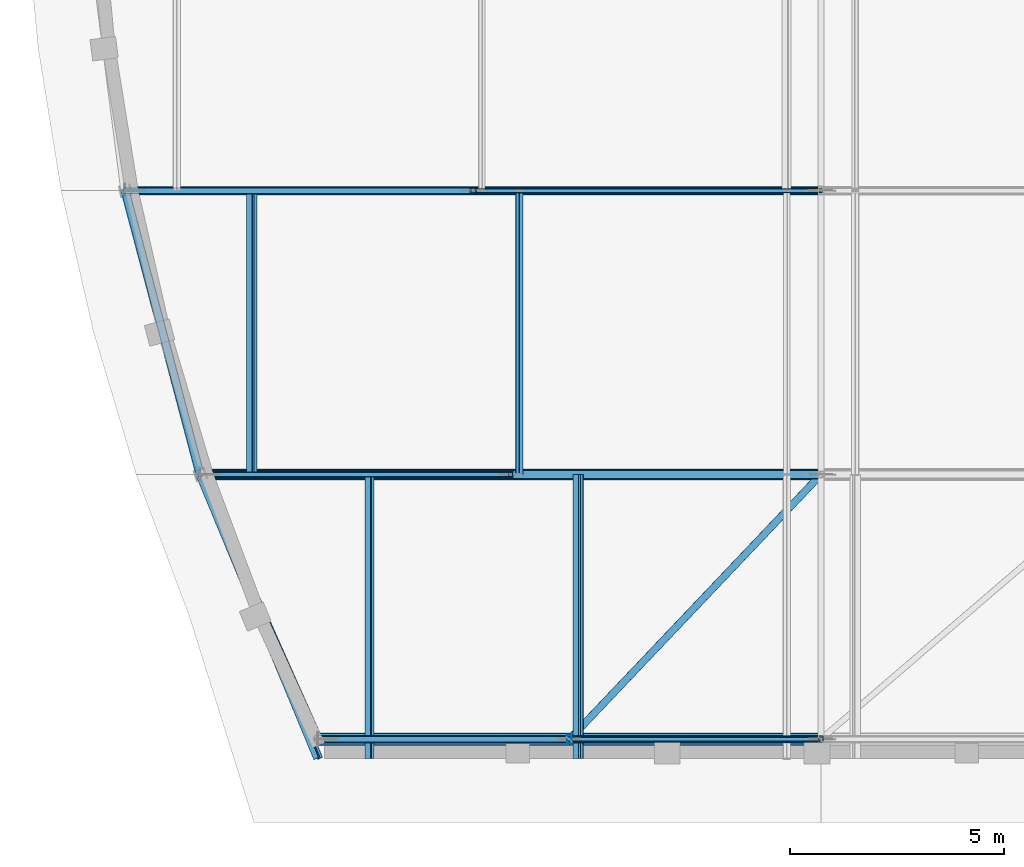
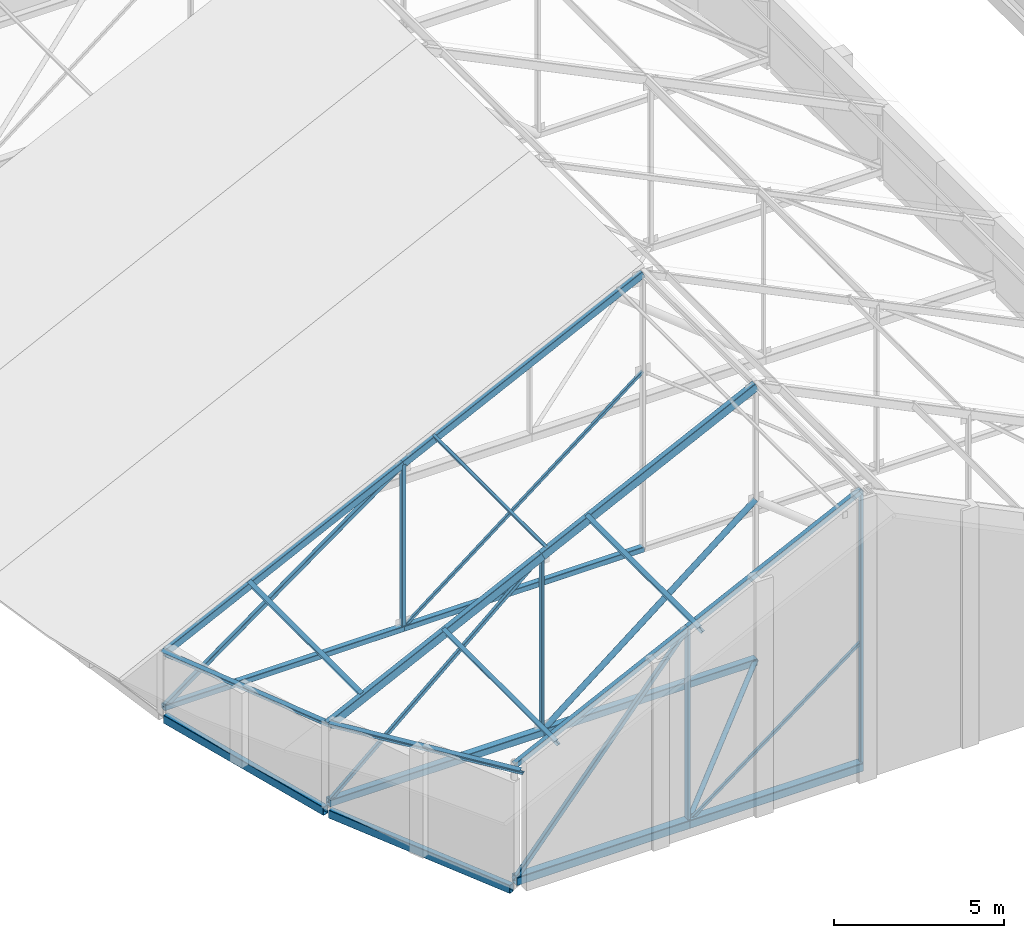
# One storey, part 14 of 78: 29 members, 2 beams.
"""IFC4 building model written with IfcOpenShell, lengths in metres."""

from ifc_helpers import new_model, si_unit, direction, frame, origin, origin_2d, place, context, subcontext, project, spatial, hollow_rectangle, hollow_circle, i_section, extrude, material, material_profile, profile_set, type_object, element, save


model = new_model("IFC4")

# Units and contexts
model_context = context("Model", 3, precision=1e-05, world=origin(), true_north=direction((0.0, 1.0)))
body_context = subcontext(model_context, "Body", "Model", "MODEL_VIEW")
ifc_project = project(units=[si_unit("LENGTHUNIT", "METRE"), si_unit("AREAUNIT", "SQUARE_METRE"), si_unit("VOLUMEUNIT", "CUBIC_METRE"), si_unit("PLANEANGLEUNIT", "RADIAN"), si_unit("MASSUNIT", "GRAM", prefix="KILO")], contexts=[model_context])

# Site, building, storey
site_placement = place(None, origin())
site = spatial("IfcSite", under=ifc_project, at=site_placement, CompositionType="ELEMENT")
building_placement = place(site_placement, origin())
building = spatial("IfcBuilding", under=site, at=building_placement, Name="Kelanivale Promenade Academy", CompositionType="ELEMENT")
storey_placement = place(building_placement, frame((0.0, 0.0, 16.199951171875)))
storey = spatial("IfcBuildingStorey", under=building, at=storey_placement, Name="L04", CompositionType="ELEMENT", Elevation=16.199951171875)

# Members
ifc_material = material(Name="Steel S355", Category="steel")
ifc_material_profile_1 = material_profile(ifc_material, i_section(OverallWidth=0.13330078125, OverallDepth=0.203125, WebThickness=0.005615234375, FlangeThickness=0.0078125, FilletRadius=0.007568359375, at=origin_2d()), Name="UB 203x133x25")
ifc_profile_set_1 = profile_set([ifc_material_profile_1], Name="Steel S355")
member_type_1 = type_object("IfcMemberType", Name="PR-01 UB 203x133x25", PredefinedType="PURLIN", material=ifc_profile_set_1)
member_1_placement = place(storey_placement, frame((7.862060546875, 33.0, 4.35400390625), z_axis=(-0.376761392739, 0.907865223257, -0.183933654727), x_axis=(-0.798995969758, -0.418973464595, -0.431354467087)))
element("IfcMember", 1, at=member_1_placement, inside=storey, type_object=member_type_1, Name="Sports Hall Crescent Pavilion roof tie purlin PR-01", PredefinedType="PURLIN", context=body_context, shape_type="SweptSolid", body=[
    extrude(i_section(OverallWidth=0.13330078125, OverallDepth=0.203125, WebThickness=0.005615234375, FlangeThickness=0.0078125, FilletRadius=0.007568359375, at=origin_2d()), origin(), (0.0, 0.0, 1.0), 7.3017578125),
])
member_2_placement = place(storey_placement, frame((9.06201171875, 33.0, 4.9580078125), z_axis=(0.0, 1.0, 0.0), x_axis=(-0.898564392509, 0.0, -0.438841694139)))
element("IfcMember", 2, at=member_2_placement, inside=storey, type_object=member_type_1, Name="Sports Hall Crescent Pavilion roof purlin PR-01", PredefinedType="PURLIN", context=body_context, shape_type="SweptSolid", body=[
    extrude(i_section(OverallWidth=0.13330078125, OverallDepth=0.203125, WebThickness=0.005615234375, FlangeThickness=0.0078125, FilletRadius=0.007568359375, at=origin_2d()), origin(), (0.0, 0.0, 1.0), 6.62890625),
])
member_3_placement = place(storey_placement, frame((5.111083984375, 39.62890625, 3.010986328125), z_axis=(-0.253607475589, 0.959340860353, -0.123888506258), x_axis=(-0.854827011615, -0.282213689329, -0.435460921057)))
element("IfcMember", 3, at=member_3_placement, inside=storey, type_object=member_type_1, Name="Sports Hall Crescent Pavilion roof tie purlin PR-01", PredefinedType="PURLIN", context=body_context, shape_type="SweptSolid", body=[
    extrude(i_section(OverallWidth=0.13330078125, OverallDepth=0.203125, WebThickness=0.005615234375, FlangeThickness=0.0078125, FilletRadius=0.007568359375, at=origin_2d()), origin(), (0.0, 0.0, 1.0), 6.9091796875),
])
ifc_material_profile_2 = material_profile(ifc_material, i_section(OverallWidth=0.14599609375, OverallDepth=0.25146484375, WebThickness=0.006103515625, FlangeThickness=0.008544921875, FilletRadius=0.007568359375, at=origin_2d()), Name="UB 254x146x31")
ifc_profile_set_2 = profile_set([ifc_material_profile_2], Name="Steel S355")
member_type_2 = type_object("IfcMemberType", Name="PR-02 UB 254x146x31", PredefinedType="PURLIN", material=ifc_profile_set_2)
member_4_placement = place(storey_placement, frame((13.930908203125, 33.0, 7.30810546875), z_axis=(0.0, 1.0, 0.0), x_axis=(-0.898564392509, 0.0, -0.438841694139)))
element("IfcMember", 4, at=member_4_placement, inside=storey, type_object=member_type_2, Name="Sports Hall Crescent Pavilion roof purlin PR-02", PredefinedType="PURLIN", context=body_context, shape_type="SweptSolid", body=[
    extrude(i_section(OverallWidth=0.14599609375, OverallDepth=0.25146484375, WebThickness=0.006103515625, FlangeThickness=0.008544921875, FilletRadius=0.007568359375, at=origin_2d()), origin(), (0.0, 0.0, 1.0), 6.62890625),
])
member_5_placement = place(storey_placement, frame((6.31103515625, 39.62890625, 3.587158203125), z_axis=(0.0, 1.0, 0.0), x_axis=(-0.898564392509, 0.0, -0.438841694139)))
element("IfcMember", 5, at=member_5_placement, inside=storey, type_object=member_type_2, Name="Sports Hall Crescent Pavilion roof purlin PR-02", PredefinedType="PURLIN", context=body_context, shape_type="SweptSolid", body=[
    extrude(i_section(OverallWidth=0.14599609375, OverallDepth=0.25146484375, WebThickness=0.006103515625, FlangeThickness=0.008544921875, FilletRadius=0.007568359375, at=origin_2d()), origin(), (0.0, 0.0, 1.0), 6.628173828125),
])
ifc_material_profile_3 = material_profile(ifc_material, hollow_rectangle(XDim=0.10009765625, YDim=0.199951171875, WallThickness=0.008056640625, InnerFilletRadius=0.008056640625, OuterFilletRadius=0.01611328125, at=origin_2d()), Name="RHS 200x100x8.0")
ifc_profile_set_3 = profile_set([ifc_material_profile_3], Name="Steel S355")
member_type_3 = type_object("IfcMemberType", Name="PR-03 RHS 200x100x8.0", PredefinedType="PURLIN", material=ifc_profile_set_3)
member_6_placement = place(storey_placement, frame((12.555908203125, 39.62890625, 6.666015625), z_axis=(0.0, 1.0, 0.0), x_axis=(-0.898564392509, 0.0, -0.438841694139)))
element("IfcMember", 6, at=member_6_placement, inside=storey, type_object=member_type_3, Name="Sports Hall Crescent Pavilion roof purlin PR-03", PredefinedType="PURLIN", context=body_context, shape_type="SweptSolid", body=[
    extrude(hollow_rectangle(XDim=0.10009765625, YDim=0.199951171875, WallThickness=0.008056640625, InnerFilletRadius=0.008056640625, OuterFilletRadius=0.01611328125, at=origin_2d()), origin(), (0.0, 0.0, 1.0), 6.628173828125),
])

# Beams
ifc_material_profile_4 = material_profile(ifc_material, hollow_rectangle(XDim=0.199951171875, YDim=0.300048828125, WallThickness=0.012451171875, InnerFilletRadius=0.012451171875, OuterFilletRadius=0.02490234375, at=origin_2d()), Name="RHS 300x200x12.5")
ifc_profile_set_4 = profile_set([ifc_material_profile_4], Name="Steel S355")
beam_type = type_object("IfcBeamType", Name="SB-14 RHS 300x200x12.5", PredefinedType="SPANDREL", material=ifc_profile_set_4)
beam_1_placement = place(storey_placement, frame((7.821044921875, 33.541015625, -0.14990234375), z_axis=(-0.406593934051, 0.913608982439, 0.0), x_axis=(-0.913608982439, -0.406593934051, 0.0)))
element("IfcBeam", 7, at=beam_1_placement, inside=storey, type_object=beam_type, Name="Sports Hall Crescent Pavilion curved ring beam SB-14", PredefinedType="SPANDREL", context=body_context, shape_type="SweptSolid", body=[
    extrude(hollow_rectangle(XDim=0.199951171875, YDim=0.300048828125, WallThickness=0.012451171875, InnerFilletRadius=0.012451171875, OuterFilletRadius=0.02490234375, at=origin_2d()), origin(), (0.0, 0.0, 1.0), 6.564208984375),
])
beam_2_placement = place(storey_placement, frame((5.0849609375, 39.72607421875, -0.14990234375), z_axis=(-0.255453887547, 0.966821240632, 0.0), x_axis=(-0.966821240632, -0.255453887547, 0.0)))
element("IfcBeam", 8, at=beam_2_placement, inside=storey, type_object=beam_type, Name="Sports Hall Crescent Pavilion curved ring beam SB-14", PredefinedType="SPANDREL", context=body_context, shape_type="SweptSolid", body=[
    extrude(hollow_rectangle(XDim=0.199951171875, YDim=0.300048828125, WallThickness=0.012451171875, InnerFilletRadius=0.012451171875, OuterFilletRadius=0.02490234375, at=origin_2d()), origin(), (0.0, 0.0, 1.0), 6.654541015625),
])

# Members
ifc_material_profile_5 = material_profile(ifc_material, hollow_rectangle(XDim=0.300048828125, YDim=0.300048828125, WallThickness=0.01611328125, InnerFilletRadius=0.01611328125, OuterFilletRadius=0.031982421875, at=origin_2d()), Name="SHS 300x300x16.0")
ifc_profile_set_5 = profile_set([ifc_material_profile_5], Name="Steel S355")
member_type_4 = type_object("IfcMemberType", Name="TC-01 SHS 300x300x16.0", PredefinedType="CHORD", material=ifc_profile_set_5)
member_7_placement = place(storey_placement, frame((7.862060546875, 33.449951171875, 0.199951171875), z_axis=(1.0, 0.0, 0.0), x_axis=(0.0, 1.0, 0.0)))
element("IfcMember", 9, at=member_7_placement, inside=storey, type_object=member_type_4, Name="ROOF TRUSS SH-TR1 bottom chord 1", PredefinedType="CHORD", context=body_context, shape_type="SweptSolid", body=[
    extrude(hollow_rectangle(XDim=0.300048828125, YDim=0.300048828125, WallThickness=0.01611328125, InnerFilletRadius=0.01611328125, OuterFilletRadius=0.031982421875, at=origin_2d()), origin(), (0.0, 0.0, 1.0), 5.868896484375),
])
member_8_placement = place(storey_placement, frame((13.73095703125, 33.449951171875, 0.199951171875), z_axis=(1.0, 0.0, 0.0), x_axis=(0.0, 1.0, 0.0)))
element("IfcMember", 10, at=member_8_placement, inside=storey, type_object=member_type_4, Name="ROOF TRUSS SH-TR1 bottom chord 2", PredefinedType="CHORD", context=body_context, shape_type="SweptSolid", body=[
    extrude(hollow_rectangle(XDim=0.300048828125, YDim=0.300048828125, WallThickness=0.01611328125, InnerFilletRadius=0.01611328125, OuterFilletRadius=0.031982421875, at=origin_2d()), origin(), (0.0, 0.0, 1.0), 5.869140625),
])
ifc_material_profile_6 = material_profile(ifc_material, hollow_rectangle(XDim=0.25, YDim=0.25, WallThickness=0.012451171875, InnerFilletRadius=0.012451171875, OuterFilletRadius=0.02490234375, at=origin_2d()), Name="SHS 250x250x12.5")
ifc_profile_set_6 = profile_set([ifc_material_profile_6], Name="Steel S355")
member_type_5 = type_object("IfcMemberType", Name="TC-02 SHS 250x250x12.5", PredefinedType="CHORD", material=ifc_profile_set_6)
member_9_placement = place(storey_placement, frame((5.111083984375, 39.62890625, 0.199951171875), z_axis=(1.0, 0.0, 0.0), x_axis=(0.0, 1.0, 0.0)))
element("IfcMember", 11, at=member_9_placement, inside=storey, type_object=member_type_5, Name="ROOF TRUSS SH-TR2 bottom chord 1", PredefinedType="CHORD", context=body_context, shape_type="SweptSolid", body=[
    extrude(hollow_rectangle(XDim=0.25, YDim=0.25, WallThickness=0.012451171875, InnerFilletRadius=0.012451171875, OuterFilletRadius=0.02490234375, at=origin_2d()), origin(), (0.0, 0.0, 1.0), 7.244873046875),
])
member_10_placement = place(storey_placement, frame((12.35595703125, 39.62890625, 0.199951171875), z_axis=(1.0, 0.0, 0.0), x_axis=(0.0, 1.0, 0.0)))
element("IfcMember", 12, at=member_10_placement, inside=storey, type_object=member_type_5, Name="ROOF TRUSS SH-TR2 bottom chord 2", PredefinedType="CHORD", context=body_context, shape_type="SweptSolid", body=[
    extrude(hollow_rectangle(XDim=0.25, YDim=0.25, WallThickness=0.012451171875, InnerFilletRadius=0.012451171875, OuterFilletRadius=0.02490234375, at=origin_2d()), origin(), (0.0, 0.0, 1.0), 7.244140625),
])
ifc_material_profile_7 = material_profile(ifc_material, hollow_rectangle(XDim=0.199951171875, YDim=0.199951171875, WallThickness=0.012451171875, InnerFilletRadius=0.012451171875, OuterFilletRadius=0.02490234375, at=origin_2d()), Name="SHS 200x200x12.5")
ifc_profile_set_7 = profile_set([ifc_material_profile_7], Name="Steel S355")
member_type_6 = type_object("IfcMemberType", Name="TC-03 SHS 200x200x12.5", PredefinedType="CHORD", material=ifc_profile_set_7)
member_11_placement = place(storey_placement, frame((3.35888671875, 46.257080078125, 0.199951171875), z_axis=(1.0, 0.0, 0.0), x_axis=(0.0, 1.0, 0.0)))
element("IfcMember", 13, at=member_11_placement, inside=storey, type_object=member_type_6, Name="ROOF TRUSS SH-TR3 bottom chord 1", PredefinedType="CHORD", context=body_context, shape_type="SweptSolid", body=[
    extrude(hollow_rectangle(XDim=0.199951171875, YDim=0.199951171875, WallThickness=0.012451171875, InnerFilletRadius=0.012451171875, OuterFilletRadius=0.02490234375, at=origin_2d()), origin(), (0.0, 0.0, 1.0), 8.12109375),
])
member_12_placement = place(storey_placement, frame((11.47998046875, 46.257080078125, 0.199951171875), z_axis=(1.0, 0.0, 0.0), x_axis=(0.0, 1.0, 0.0)))
element("IfcMember", 14, at=member_12_placement, inside=storey, type_object=member_type_6, Name="ROOF TRUSS SH-TR3 bottom chord 2", PredefinedType="CHORD", context=body_context, shape_type="SweptSolid", body=[
    extrude(hollow_rectangle(XDim=0.199951171875, YDim=0.199951171875, WallThickness=0.012451171875, InnerFilletRadius=0.012451171875, OuterFilletRadius=0.02490234375, at=origin_2d()), origin(), (0.0, 0.0, 1.0), 8.1201171875),
])
ifc_material_profile_8 = material_profile(ifc_material, hollow_rectangle(XDim=0.179931640625, YDim=0.179931640625, WallThickness=0.010009765625, InnerFilletRadius=0.010009765625, OuterFilletRadius=0.02001953125, at=origin_2d()), Name="SHS 180x180x10.0")
ifc_profile_set_8 = profile_set([ifc_material_profile_8], Name="Steel S355")
member_type_7 = type_object("IfcMemberType", Name="TC-04 SHS 180x180x10.0", PredefinedType="CHORD", material=ifc_profile_set_8)
member_13_placement = place(storey_placement, frame((7.862060546875, 33.449951171875, 4.30908203125), z_axis=(0.898522951892, 0.0, 0.438926537047), x_axis=(0.0, 1.0, 0.0)))
element("IfcMember", 15, at=member_13_placement, inside=storey, type_object=member_type_7, Name="ROOF TRUSS SH-TR1 top chord 1", PredefinedType="CHORD", context=body_context, shape_type="SweptSolid", body=[
    extrude(hollow_rectangle(XDim=0.179931640625, YDim=0.179931640625, WallThickness=0.010009765625, InnerFilletRadius=0.010009765625, OuterFilletRadius=0.02001953125, at=origin_2d()), origin(), (0.0, 0.0, 1.0), 6.53173828125),
])
member_14_placement = place(storey_placement, frame((13.73095703125, 33.449951171875, 7.176025390625), z_axis=(0.898589109791, 0.0, 0.43879107986), x_axis=(0.0, 1.0, 0.0)))
element("IfcMember", 16, at=member_14_placement, inside=storey, type_object=member_type_7, Name="ROOF TRUSS SH-TR1 top chord 2", PredefinedType="CHORD", context=body_context, shape_type="SweptSolid", body=[
    extrude(hollow_rectangle(XDim=0.179931640625, YDim=0.179931640625, WallThickness=0.010009765625, InnerFilletRadius=0.010009765625, OuterFilletRadius=0.02001953125, at=origin_2d()), origin(), (0.0, 0.0, 1.0), 6.531494140625),
])
ifc_material_profile_9 = material_profile(ifc_material, hollow_rectangle(XDim=0.199951171875, YDim=0.300048828125, WallThickness=0.012451171875, InnerFilletRadius=0.012451171875, OuterFilletRadius=0.02490234375, at=origin_2d()), Name="RHS 300x200x12.5")
ifc_profile_set_9 = profile_set([ifc_material_profile_9], Name="Steel S355")
member_type_8 = type_object("IfcMemberType", Name="TC-05 RHS 300x200x12.5", PredefinedType="CHORD", material=ifc_profile_set_9)
member_15_placement = place(storey_placement, frame((5.111083984375, 39.62890625, 2.966064453125), z_axis=(0.898572791863, 0.0, 0.438824495356), x_axis=(0.0, 1.0, 0.0)))
element("IfcMember", 17, at=member_15_placement, inside=storey, type_object=member_type_8, Name="ROOF TRUSS SH-TR2 top chord 1", PredefinedType="CHORD", context=body_context, shape_type="SweptSolid", body=[
    extrude(hollow_rectangle(XDim=0.199951171875, YDim=0.300048828125, WallThickness=0.012451171875, InnerFilletRadius=0.012451171875, OuterFilletRadius=0.02490234375, at=origin_2d()), origin(), (0.0, 0.0, 1.0), 8.062744140625),
])
member_16_placement = place(storey_placement, frame((12.35595703125, 39.62890625, 6.504150390625), z_axis=(0.898567238279, 0.0, 0.438835867144), x_axis=(0.0, 1.0, 0.0)))
element("IfcMember", 18, at=member_16_placement, inside=storey, type_object=member_type_8, Name="ROOF TRUSS SH-TR2 top chord 2", PredefinedType="CHORD", context=body_context, shape_type="SweptSolid", body=[
    extrude(hollow_rectangle(XDim=0.199951171875, YDim=0.300048828125, WallThickness=0.012451171875, InnerFilletRadius=0.012451171875, OuterFilletRadius=0.02490234375, at=origin_2d()), origin(), (0.0, 0.0, 1.0), 8.061767578125),
])
ifc_material_profile_10 = material_profile(ifc_material, hollow_rectangle(XDim=0.14990234375, YDim=0.25, WallThickness=0.010009765625, InnerFilletRadius=0.010009765625, OuterFilletRadius=0.02001953125, at=origin_2d()), Name="RHS 250x150x10.0")
ifc_profile_set_10 = profile_set([ifc_material_profile_10], Name="Steel S355")
member_type_9 = type_object("IfcMemberType", Name="TC-06 RHS 250x150x10.0", PredefinedType="CHORD", material=ifc_profile_set_10)
member_17_placement = place(storey_placement, frame((3.35888671875, 46.257080078125, 2.110107421875), z_axis=(0.898580397194, 0.0, 0.438808921718), x_axis=(0.0, 1.0, 0.0)))
element("IfcMember", 19, at=member_17_placement, inside=storey, type_object=member_type_9, Name="ROOF TRUSS SH-TR3 top chord 1", PredefinedType="CHORD", context=body_context, shape_type="SweptSolid", body=[
    extrude(hollow_rectangle(XDim=0.14990234375, YDim=0.25, WallThickness=0.010009765625, InnerFilletRadius=0.010009765625, OuterFilletRadius=0.02001953125, at=origin_2d()), origin(), (0.0, 0.0, 1.0), 9.03759765625),
])
member_18_placement = place(storey_placement, frame((11.47998046875, 46.257080078125, 6.075927734375), z_axis=(0.898548934374, 0.0, 0.438873344525), x_axis=(0.0, 1.0, 0.0)))
element("IfcMember", 20, at=member_18_placement, inside=storey, type_object=member_type_9, Name="ROOF TRUSS SH-TR3 top chord 2", PredefinedType="CHORD", context=body_context, shape_type="SweptSolid", body=[
    extrude(hollow_rectangle(XDim=0.14990234375, YDim=0.25, WallThickness=0.010009765625, InnerFilletRadius=0.010009765625, OuterFilletRadius=0.02001953125, at=origin_2d()), origin(), (0.0, 0.0, 1.0), 9.036865234375),
])
ifc_material_profile_11 = material_profile(ifc_material, hollow_rectangle(XDim=0.14990234375, YDim=0.14990234375, WallThickness=0.010009765625, InnerFilletRadius=0.010009765625, OuterFilletRadius=0.02001953125, at=origin_2d()), Name="SHS 150x150x10.0")
ifc_profile_set_11 = profile_set([ifc_material_profile_11], Name="Steel S355")
member_type_10 = type_object("IfcMemberType", Name="TD-01 SHS 150x150x10.0", PredefinedType="BRACE", material=ifc_profile_set_11)
member_19_placement = place(storey_placement, frame((7.862060546875, 33.449951171875, 0.199951171875), z_axis=(0.643770341143, 0.0, 0.765218758177), x_axis=(0.0, 1.0, 0.0)))
element("IfcMember", 21, at=member_19_placement, inside=storey, type_object=member_type_10, Name="ROOF TRUSS SH-TR1 web diagonal 1", PredefinedType="BRACE", context=body_context, shape_type="SweptSolid", body=[
    extrude(hollow_rectangle(XDim=0.14990234375, YDim=0.14990234375, WallThickness=0.010009765625, InnerFilletRadius=0.010009765625, OuterFilletRadius=0.02001953125, at=origin_2d()), origin(), (0.0, 0.0, 1.0), 9.116455078125),
])
member_20_placement = place(storey_placement, frame((3.35888671875, 46.257080078125, 0.199951171875), z_axis=(0.81017026732, 0.0, 0.586194624635), x_axis=(0.0, 1.0, 0.0)))
element("IfcMember", 22, at=member_20_placement, inside=storey, type_object=member_type_10, Name="ROOF TRUSS SH-TR3 web diagonal 1", PredefinedType="BRACE", context=body_context, shape_type="SweptSolid", body=[
    extrude(hollow_rectangle(XDim=0.14990234375, YDim=0.14990234375, WallThickness=0.010009765625, InnerFilletRadius=0.010009765625, OuterFilletRadius=0.02001953125, at=origin_2d()), origin(), (0.0, 0.0, 1.0), 10.02392578125),
])
ifc_material_profile_12 = material_profile(ifc_material, hollow_rectangle(XDim=0.1201171875, YDim=0.1201171875, WallThickness=0.008056640625, InnerFilletRadius=0.008056640625, OuterFilletRadius=0.01611328125, at=origin_2d()), Name="SHS 120x120x8.0")
ifc_profile_set_12 = profile_set([ifc_material_profile_12], Name="Steel S355")
member_type_11 = type_object("IfcMemberType", Name="TD-02 SHS 120x120x8.0", PredefinedType="BRACE", material=ifc_profile_set_12)
member_21_placement = place(storey_placement, frame((5.111083984375, 39.62890625, 0.199951171875), z_axis=(0.754383280134, 0.0, 0.656434205884), x_axis=(0.0, 1.0, 0.0)))
element("IfcMember", 23, at=member_21_placement, inside=storey, type_object=member_type_11, Name="ROOF TRUSS SH-TR2 web diagonal 1", PredefinedType="BRACE", context=body_context, shape_type="SweptSolid", body=[
    extrude(hollow_rectangle(XDim=0.1201171875, YDim=0.1201171875, WallThickness=0.008056640625, InnerFilletRadius=0.008056640625, OuterFilletRadius=0.01611328125, at=origin_2d()), origin(), (0.0, 0.0, 1.0), 9.603759765625),
])
ifc_material_profile_13 = material_profile(ifc_material, hollow_rectangle(XDim=0.10009765625, YDim=0.10009765625, WallThickness=0.00634765625, InnerFilletRadius=0.00634765625, OuterFilletRadius=0.0126953125, at=origin_2d()), Name="SHS 100x100x6.3")
ifc_profile_set_13 = profile_set([ifc_material_profile_13], Name="Steel S355")
member_type_12 = type_object("IfcMemberType", Name="TD-03 SHS 100x100x6.3", PredefinedType="BRACE", material=ifc_profile_set_13)
member_22_placement = place(storey_placement, frame((13.73095703125, 33.449951171875, 0.199951171875), z_axis=(0.798802200472, 0.0, 0.601593753725), x_axis=(0.0, 1.0, 0.0)))
element("IfcMember", 24, at=member_22_placement, inside=storey, type_object=member_type_12, Name="ROOF TRUSS SH-TR1 web diagonal 2", PredefinedType="BRACE", context=body_context, shape_type="SweptSolid", body=[
    extrude(hollow_rectangle(XDim=0.10009765625, YDim=0.10009765625, WallThickness=0.00634765625, InnerFilletRadius=0.00634765625, OuterFilletRadius=0.0126953125, at=origin_2d()), origin(), (0.0, 0.0, 1.0), 7.347412109375),
])
member_23_placement = place(storey_placement, frame((11.47998046875, 46.257080078125, 0.199951171875), z_axis=(0.788201107453, 0.0, 0.615417755846), x_axis=(0.0, 1.0, 0.0)))
element("IfcMember", 25, at=member_23_placement, inside=storey, type_object=member_type_12, Name="ROOF TRUSS SH-TR3 web diagonal 2", PredefinedType="BRACE", context=body_context, shape_type="SweptSolid", body=[
    extrude(hollow_rectangle(XDim=0.10009765625, YDim=0.10009765625, WallThickness=0.00634765625, InnerFilletRadius=0.00634765625, OuterFilletRadius=0.0126953125, at=origin_2d()), origin(), (0.0, 0.0, 1.0), 10.302001953125),
])
ifc_material_profile_14 = material_profile(ifc_material, hollow_circle(Radius=0.084228515625, WallThickness=0.008056640625, at=origin_2d()), Name="CHS 168.3x8.0")
ifc_profile_set_14 = profile_set([ifc_material_profile_14], Name="Steel S355")
member_type_13 = type_object("IfcMemberType", Name="TD-04 CHS 168.3x8.0", PredefinedType="BRACE", material=ifc_profile_set_14)
member_24_placement = place(storey_placement, frame((13.73095703125, 33.449951171875, 0.199951171875), z_axis=(0.688696004002, 0.725050214862, 0.0), x_axis=(-0.725050214862, 0.688696004002, 0.0)))
element("IfcMember", 26, at=member_24_placement, inside=storey, type_object=member_type_13, Name="Sports Hall Crescent Pavilion roof wind brace TD-04", PredefinedType="BRACE", context=body_context, shape_type="SweptSolid", body=[
    extrude(hollow_circle(Radius=0.084228515625, WallThickness=0.008056640625, at=origin_2d()), origin(), (0.0, 0.0, 1.0), 8.522216796875),
])
ifc_material_profile_15 = material_profile(ifc_material, hollow_circle(Radius=0.096923828125, WallThickness=0.010009765625, at=origin_2d()), Name="CHS 193.7x10.0")
ifc_profile_set_15 = profile_set([ifc_material_profile_15], Name="Steel S355")
member_type_14 = type_object("IfcMemberType", Name="TD-07 CHS 193.7x10.0", PredefinedType="BRACE", material=ifc_profile_set_15)
member_25_placement = place(storey_placement, frame((12.35595703125, 39.62890625, 0.199951171875), z_axis=(0.782726049988, 0.0, 0.62236639584), x_axis=(0.0, 1.0, 0.0)))
element("IfcMember", 27, at=member_25_placement, inside=storey, type_object=member_type_14, Name="ROOF TRUSS SH-TR2 web diagonal 2", PredefinedType="BRACE", context=body_context, shape_type="SweptSolid", body=[
    extrude(hollow_circle(Radius=0.096923828125, WallThickness=0.010009765625, at=origin_2d()), origin(), (0.0, 0.0, 1.0), 9.255126953125),
])
ifc_material_profile_16 = material_profile(ifc_material, hollow_rectangle(XDim=0.10009765625, YDim=0.199951171875, WallThickness=0.008056640625, InnerFilletRadius=0.008056640625, OuterFilletRadius=0.01611328125, at=origin_2d()), Name="RHS 200x100x8.0")
ifc_profile_set_16 = profile_set([ifc_material_profile_16], Name="Steel S355")
member_type_15 = type_object("IfcMemberType", Name="TV-02 RHS 200x100x8.0", PredefinedType="STRUT", material=ifc_profile_set_16)
member_26_placement = place(storey_placement, frame((13.73095703125, 33.449951171875, 0.199951171875), z_axis=(0.0, 0.0, 1.0), x_axis=(1.0, 0.0, 0.0)))
element("IfcMember", 28, at=member_26_placement, inside=storey, type_object=member_type_15, Name="ROOF TRUSS SH-TR1 vertical strut 1", PredefinedType="STRUT", context=body_context, shape_type="SweptSolid", body=[
    extrude(hollow_rectangle(XDim=0.10009765625, YDim=0.199951171875, WallThickness=0.008056640625, InnerFilletRadius=0.008056640625, OuterFilletRadius=0.01611328125, at=origin_2d()), origin(), (0.0, 0.0, 1.0), 6.97607421875),
])
ifc_material_profile_17 = material_profile(ifc_material, hollow_rectangle(XDim=0.10009765625, YDim=0.14990234375, WallThickness=0.008056640625, InnerFilletRadius=0.008056640625, OuterFilletRadius=0.01611328125, at=origin_2d()), Name="RHS 150x100x8.0")
ifc_profile_set_17 = profile_set([ifc_material_profile_17], Name="Steel S355")
member_type_16 = type_object("IfcMemberType", Name="TV-03 RHS 150x100x8.0", PredefinedType="STRUT", material=ifc_profile_set_17)
member_27_placement = place(storey_placement, frame((19.60009765625, 33.449951171875, 0.199951171875), z_axis=(0.0, 0.0, 1.0), x_axis=(1.0, 0.0, 0.0)))
element("IfcMember", 29, at=member_27_placement, inside=storey, type_object=member_type_16, Name="ROOF TRUSS SH-TR1 vertical strut 2", PredefinedType="STRUT", context=body_context, shape_type="SweptSolid", body=[
    extrude(hollow_rectangle(XDim=0.10009765625, YDim=0.14990234375, WallThickness=0.008056640625, InnerFilletRadius=0.008056640625, OuterFilletRadius=0.01611328125, at=origin_2d()), origin(), (0.0, 0.0, 1.0), 9.842041015625),
])
member_28_placement = place(storey_placement, frame((12.35595703125, 39.62890625, 0.199951171875), z_axis=(0.0, 0.0, 1.0), x_axis=(1.0, 0.0, 0.0)))
element("IfcMember", 30, at=member_28_placement, inside=storey, type_object=member_type_16, Name="ROOF TRUSS SH-TR2 vertical strut 1", PredefinedType="STRUT", context=body_context, shape_type="SweptSolid", body=[
    extrude(hollow_rectangle(XDim=0.10009765625, YDim=0.14990234375, WallThickness=0.008056640625, InnerFilletRadius=0.008056640625, OuterFilletRadius=0.01611328125, at=origin_2d()), origin(), (0.0, 0.0, 1.0), 6.30419921875),
])
ifc_material_profile_18 = material_profile(ifc_material, hollow_rectangle(XDim=0.14990234375, YDim=0.14990234375, WallThickness=0.010009765625, InnerFilletRadius=0.010009765625, OuterFilletRadius=0.02001953125, at=origin_2d()), Name="SHS 150x150x10.0")
ifc_profile_set_18 = profile_set([ifc_material_profile_18], Name="Steel S355")
member_type_17 = type_object("IfcMemberType", Name="TV-04 SHS 150x150x10.0", PredefinedType="STRUT", material=ifc_profile_set_18)
member_29_placement = place(storey_placement, frame((11.47998046875, 46.257080078125, 0.199951171875), z_axis=(0.0, 0.0, 1.0), x_axis=(1.0, 0.0, 0.0)))
element("IfcMember", 31, at=member_29_placement, inside=storey, type_object=member_type_17, Name="ROOF TRUSS SH-TR3 vertical strut 1", PredefinedType="STRUT", context=body_context, shape_type="SweptSolid", body=[
    extrude(hollow_rectangle(XDim=0.14990234375, YDim=0.14990234375, WallThickness=0.010009765625, InnerFilletRadius=0.010009765625, OuterFilletRadius=0.02001953125, at=origin_2d()), origin(), (0.0, 0.0, 1.0), 5.8759765625),
])

save(model, "model.ifc")
